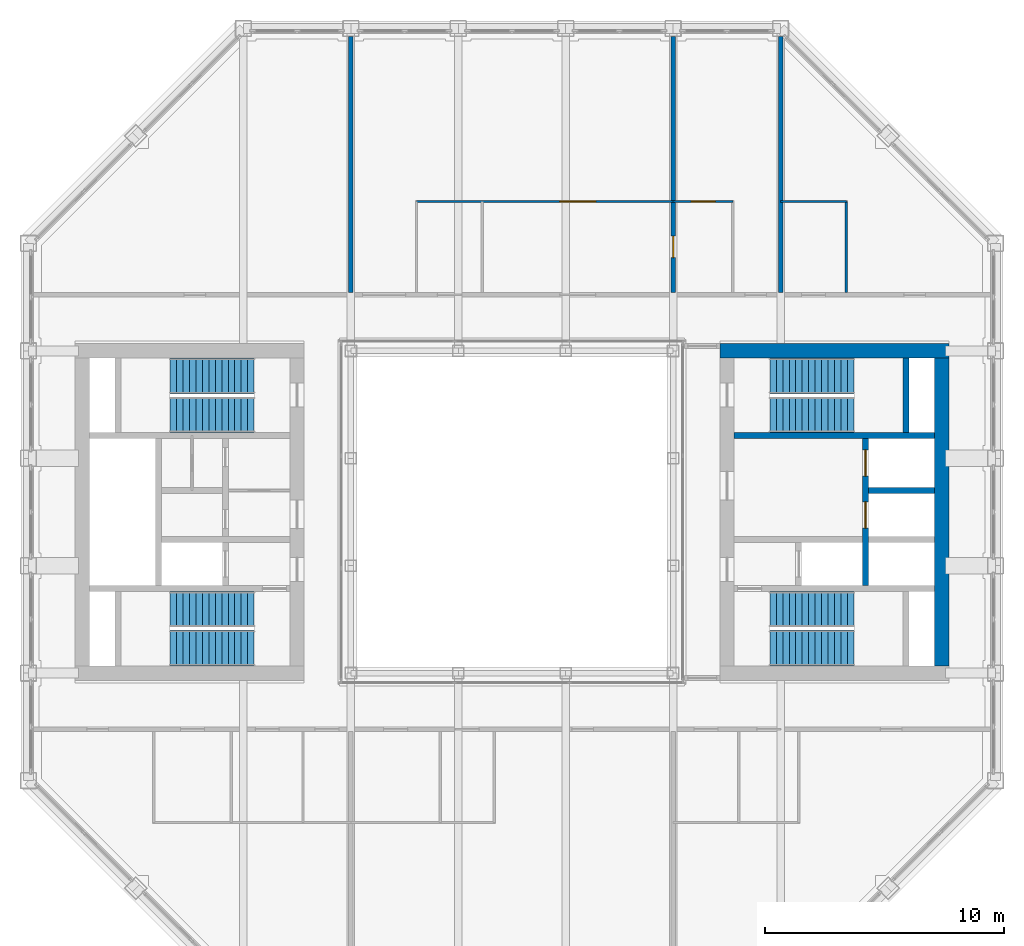
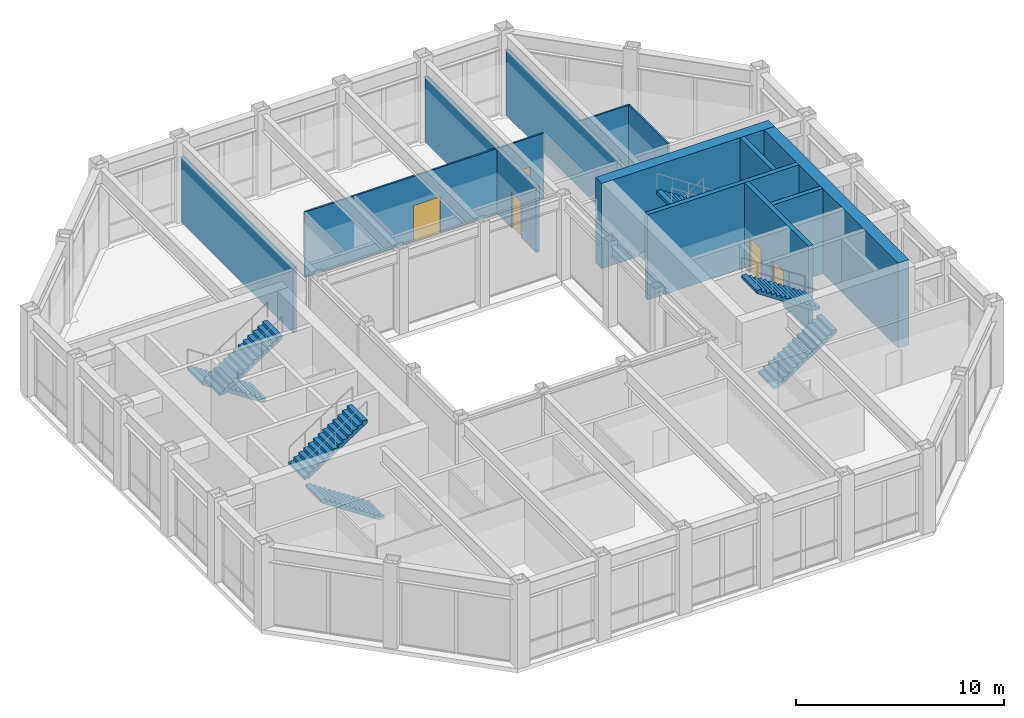
# One storey, part 13 of 15: 13 walls, 8 stair flights, 5 doors, 5 openings, 4 elements without a shape of their own.
"""IFC4 building model written with IfcOpenShell, lengths in metres."""

from ifc_helpers import new_model, si_unit, direction, frame, frame_2d, origin, place, context, subcontext, project, spatial, polyline, rectangle, outline, extrude, material, layer, layer_set, type_object, element, fill, aggregate, save


model = new_model("IFC4")

# Units and contexts
model_context = context("Model", 3, precision=1e-05, world=origin(), true_north=direction((0.0, 1.0)))
body_context = subcontext(model_context, "Body", "Model", "MODEL_VIEW")
ifc_project = project(units=[si_unit("LENGTHUNIT", "METRE"), si_unit("AREAUNIT", "SQUARE_METRE"), si_unit("VOLUMEUNIT", "CUBIC_METRE"), si_unit("PLANEANGLEUNIT", "RADIAN"), si_unit("MASSUNIT", "GRAM", prefix="KILO")], contexts=[model_context])

# Site, building, storey
site_placement = place(None, origin())
site = spatial("IfcSite", under=ifc_project, at=site_placement, CompositionType="ELEMENT")
building_placement = place(site_placement, origin())
building = spatial("IfcBuilding", under=site, at=building_placement, Name="Msasa Ring Tower", CompositionType="ELEMENT")
storey_placement = place(building_placement, frame((0.0, 0.0, 257.050048828125)))
storey = spatial("IfcBuildingStorey", under=building, at=storey_placement, Name="L67", CompositionType="ELEMENT", Elevation=257.050048828125)

# Walls
ifc_material_1 = material(Name="Concrete C60/75", Category="concrete")
ifc_layer_1 = layer(ifc_material_1, 0.60009765625)
ifc_layer_set_1 = layer_set([ifc_layer_1], Name="CW3 CORE WALL 600")
wall_type_1 = type_object("IfcWallType", Name="CW3 CORE WALL 600", PredefinedType="SHEAR", material=ifc_layer_set_1)
wall_1_placement = place(storey_placement, frame((8.699951171875, 6.75, 0.0), z_axis=(0.0, 0.0, 1.0), x_axis=(1.0, 0.0, 0.0)))
element("IfcWall", 1, at=wall_1_placement, inside=storey, type_object=wall_type_1, Name="E core wall N L67", PredefinedType="SHEAR", context=body_context, shape_type="SweptSolid", body=[
    extrude(rectangle(XDim=9.60009765625, YDim=0.60009765625, at=frame_2d((4.800048828125, 0.0))), origin(), (0.0, 0.0, 1.0), 5.0),
])
wall_2_placement = place(storey_placement, frame((18.0, -6.449951171875, 0.0), z_axis=(0.0, 0.0, 1.0), x_axis=(0.0, 1.0, 0.0)))
element("IfcWall", 2, at=wall_2_placement, inside=storey, type_object=wall_type_1, Name="E core wall E L67", PredefinedType="SHEAR", context=body_context, shape_type="SweptSolid", body=[
    extrude(rectangle(XDim=12.89990234375, YDim=0.60009765625, at=frame_2d((6.449951171875, 0.0))), origin(), (0.0, 0.0, 1.0), 5.0),
])
ifc_material_2 = material(Name="Concrete C60/75", Category="concrete")
ifc_layer_2 = layer(ifc_material_2, 0.25)
ifc_layer_set_2 = layer_set([ifc_layer_2], Name="CW4 CORE INNER WALL 250")
wall_type_2 = type_object("IfcWallType", Name="CW4 CORE INNER WALL 250", PredefinedType="SHEAR", material=ifc_layer_set_2)
wall_3_placement = place(storey_placement, frame((9.300048828125, 3.199951171875, 0.0), z_axis=(0.0, 0.0, 1.0), x_axis=(1.0, 0.0, 0.0)))
element("IfcWall", 3, at=wall_3_placement, inside=storey, type_object=wall_type_2, Name="E core wall STAIRB L67", PredefinedType="SHEAR", context=body_context, shape_type="SweptSolid", body=[
    extrude(rectangle(XDim=8.39990234375, YDim=0.25, at=frame_2d((4.199951171875, 0.0))), origin(), (0.0, 0.0, 1.0), 5.0),
])
wall_4_placement = place(storey_placement, frame((16.5, 3.324951171875, 0.0), z_axis=(0.0, 0.0, 1.0), x_axis=(0.0, 1.0, 0.0)))
element("IfcWall", 4, at=wall_4_placement, inside=storey, type_object=wall_type_2, Name="E core wall RISERB L67", PredefinedType="SHEAR", context=body_context, shape_type="SweptSolid", body=[
    extrude(rectangle(XDim=3.125, YDim=0.25, at=frame_2d((1.5625, 0.0))), origin(), (0.0, 0.0, 1.0), 5.0),
])

# Wall, openings, doors
wall_5_placement = place(storey_placement, frame((14.800048828125, -3.074951171875, 0.0), z_axis=(0.0, 0.0, 1.0), x_axis=(0.0, 1.0, 0.0)))
wall_5 = element("IfcWall", 5, at=wall_5_placement, inside=storey, type_object=wall_type_2, Name="E core wall SHAFT L67", PredefinedType="SHEAR", context=body_context, shape_type="SweptSolid", body=[
    extrude(rectangle(XDim=6.14990234375, YDim=0.25, at=frame_2d((3.074951171875, 0.0))), origin(), (0.0, 0.0, 1.0), 5.0),
])
opening_1_placement = place(wall_5_placement, frame((2.39990234375, 0.0, 0.0)))
opening_1 = element("IfcOpeningElement", 6, at=opening_1_placement, cuts=wall_5, Name="Opening LD1", PredefinedType="OPENING", context=body_context, shape_type="SweptSolid", body=[
    extrude(rectangle(XDim=1.10009765625, YDim=2.10009765625, at=frame_2d((0.550048828125, 1.050048828125))), frame((0.0, 0.135009765625, 0.0), z_axis=(0.0, -1.0, 0.0), x_axis=(1.0, 0.0, 0.0)), (0.0, 0.0, 1.0), 0.27001953125),
])
opening_2_placement = place(wall_5_placement, frame((4.574951171875, 0.0, 0.0)))
opening_2 = element("IfcOpeningElement", 7, at=opening_2_placement, cuts=wall_5, Name="Opening LD1", PredefinedType="OPENING", context=body_context, shape_type="SweptSolid", body=[
    extrude(rectangle(XDim=1.10009765625, YDim=2.10009765625, at=frame_2d((0.550048828125, 1.050048828125))), frame((0.0, 0.135009765625, 0.0), z_axis=(0.0, -1.0, 0.0), x_axis=(1.0, 0.0, 0.0)), (0.0, 0.0, 1.0), 0.27001953125),
])
ifc_material_3 = material(Name="Stainless steel lift landing door", Category="steel")
door_type_1 = type_object("IfcDoorType", Name="LD1 LIFT LANDING DOOR 1100x2100", OperationType="DOUBLE_DOOR_SLIDING", PredefinedType="DOOR", material=ifc_material_3)
door_1_placement = place(opening_1_placement, origin())
door_1 = element("IfcDoor", 8, at=door_1_placement, inside=storey, type_object=door_type_1, Name="Lift landing door PL-H1 L67", OperationType="DOUBLE_DOOR_SLIDING", OverallHeight=2.10009765625, OverallWidth=1.10009765625, PredefinedType="DOOR", context=body_context, shape_type="SweptSolid", body=[
    extrude(rectangle(XDim=1.10009765625, YDim=2.10009765625, at=frame_2d((0.550048828125, 1.050048828125))), frame((0.0, 0.02490234375, 0.0), z_axis=(0.0, -1.0, 0.0), x_axis=(1.0, 0.0, 0.0)), (0.0, 0.0, 1.0), 0.050048828125),
])
fill(opening_1, door_1)
door_2_placement = place(opening_2_placement, origin())
door_2 = element("IfcDoor", 9, at=door_2_placement, inside=storey, type_object=door_type_1, Name="Lift landing door PL-H2 L67", OperationType="DOUBLE_DOOR_SLIDING", OverallHeight=2.10009765625, OverallWidth=1.10009765625, PredefinedType="DOOR", context=body_context, shape_type="SweptSolid", body=[
    extrude(rectangle(XDim=1.10009765625, YDim=2.10009765625, at=frame_2d((0.550048828125, 1.050048828125))), frame((0.0, 0.02490234375, 0.0), z_axis=(0.0, -1.0, 0.0), x_axis=(1.0, 0.0, 0.0)), (0.0, 0.0, 1.0), 0.050048828125),
])
fill(opening_2, door_2)

# Wall
wall_6_placement = place(storey_placement, frame((14.925048828125, 0.89990234375, 0.0), z_axis=(0.0, 0.0, 1.0), x_axis=(1.0, 0.0, 0.0)))
element("IfcWall", 10, at=wall_6_placement, inside=storey, type_object=wall_type_2, Name="E core wall HLIFT L67", PredefinedType="SHEAR", context=body_context, shape_type="SweptSolid", body=[
    extrude(rectangle(XDim=2.77490234375, YDim=0.25, at=frame_2d((1.387451171875, 0.0))), origin(), (0.0, 0.0, 1.0), 5.0),
])

# Wall, opening, door
ifc_material_4 = material(Name="Gypsum board on steel studs", Category="steel")
ifc_layer_3 = layer(ifc_material_4, 0.10009765625)
ifc_layer_set_3 = layer_set([ifc_layer_3], Name="PT2 STUD PARTITION 100")
wall_type_3 = type_object("IfcWallType", Name="PT2 STUD PARTITION 100", PredefinedType="PARTITIONING", material=ifc_layer_set_3)
wall_7_placement = place(storey_placement, frame((-4.0, 13.0, 0.0), z_axis=(0.0, 0.0, 1.0), x_axis=(1.0, 0.0, 0.0)))
wall_7 = element("IfcWall", 11, at=wall_7_placement, inside=storey, type_object=wall_type_3, Name="Partition L67-SBN1X0", PredefinedType="PARTITIONING", context=body_context, shape_type="SweptSolid", body=[
    extrude(rectangle(XDim=10.75, YDim=0.10009765625, at=frame_2d((5.375, 0.0))), origin(), (0.0, 0.0, 1.0), 3.8232421875),
])
opening_3_placement = place(wall_7_placement, frame((6.0, 0.0, 0.0)))
opening_3 = element("IfcOpeningElement", 12, at=opening_3_placement, cuts=wall_7, Name="Opening L67-001", PredefinedType="OPENING", context=body_context, shape_type="SweptSolid", body=[
    extrude(rectangle(XDim=1.5, YDim=2.10009765625, at=frame_2d((0.75, 1.050048828125))), frame((0.0, 0.06005859375, 0.0), z_axis=(0.0, -1.0, 0.0), x_axis=(1.0, 0.0, 0.0)), (0.0, 0.0, 1.0), 0.1201171875),
])
ifc_material_5 = material(Name="Timber door leaf in a steel frame", Category="steel")
door_type_2 = type_object("IfcDoorType", Name="D28 INTERNAL KITCHEN DOUBLE SWING DOOR 1500x2100", OperationType="SINGLE_SWING_LEFT", PredefinedType="DOOR", material=ifc_material_5)
door_3_placement = place(opening_3_placement, origin())
door_3 = element("IfcDoor", 13, at=door_3_placement, inside=storey, type_object=door_type_2, Name="Door L67-SBN1B1", OperationType="SINGLE_SWING_RIGHT", OverallHeight=2.10009765625, OverallWidth=1.5, PredefinedType="DOOR", context=body_context, shape_type="SweptSolid", body=[
    extrude(rectangle(XDim=1.5, YDim=2.10009765625, at=frame_2d((0.75, 1.050048828125))), frame((0.0, 0.02490234375, 0.0), z_axis=(0.0, -1.0, 0.0), x_axis=(1.0, 0.0, 0.0)), (0.0, 0.0, 1.0), 0.050048828125),
])
fill(opening_3, door_3)

wall_8_placement = place(storey_placement, frame((6.75, 13.0, 0.0), z_axis=(0.0, 0.0, 1.0), x_axis=(1.0, 0.0, 0.0)))
wall_8 = element("IfcWall", 14, at=wall_8_placement, inside=storey, type_object=wall_type_3, Name="Partition L67-SBN2X0", PredefinedType="PARTITIONING", context=body_context, shape_type="SweptSolid", body=[
    extrude(rectangle(XDim=2.5, YDim=0.10009765625, at=frame_2d((1.25, 0.0))), origin(), (0.0, 0.0, 1.0), 3.8232421875),
])
opening_4_placement = place(wall_8_placement, frame((0.75, 0.0, 0.0)))
opening_4 = element("IfcOpeningElement", 15, at=opening_4_placement, cuts=wall_8, Name="Opening L67-002", PredefinedType="OPENING", context=body_context, shape_type="SweptSolid", body=[
    extrude(rectangle(XDim=1.0, YDim=2.10009765625, at=frame_2d((0.5, 1.050048828125))), frame((0.0, 0.06005859375, 0.0), z_axis=(0.0, -1.0, 0.0), x_axis=(1.0, 0.0, 0.0)), (0.0, 0.0, 1.0), 0.1201171875),
])
ifc_material_6 = material(Name="Timber door leaf in a steel frame", Category="steel")
door_type_3 = type_object("IfcDoorType", Name="D29 INTERNAL ROOM DOOR 1000x2100", OperationType="SINGLE_SWING_LEFT", PredefinedType="DOOR", material=ifc_material_6)
door_4_placement = place(opening_4_placement, origin())
door_4 = element("IfcDoor", 16, at=door_4_placement, inside=storey, type_object=door_type_3, Name="Door L67-SBN2B0", OperationType="SINGLE_SWING_LEFT", OverallHeight=2.10009765625, OverallWidth=1.0, PredefinedType="DOOR", context=body_context, shape_type="SweptSolid", body=[
    extrude(rectangle(XDim=1.0, YDim=2.10009765625, at=frame_2d((0.5, 1.050048828125))), frame((0.0, 0.02490234375, 0.0), z_axis=(0.0, -1.0, 0.0), x_axis=(1.0, 0.0, 0.0)), (0.0, 0.0, 1.0), 0.050048828125),
])
fill(opening_4, door_4)

# Walls
wall_9_placement = place(storey_placement, frame((11.25, 13.0, 0.0), z_axis=(0.0, 0.0, 1.0), x_axis=(1.0, 0.0, 0.0)))
element("IfcWall", 17, at=wall_9_placement, inside=storey, type_object=wall_type_3, Name="Partition L67-SBN3X0", PredefinedType="PARTITIONING", context=body_context, shape_type="SweptSolid", body=[
    extrude(rectangle(XDim=2.75, YDim=0.10009765625, at=frame_2d((1.375, 0.0))), origin(), (0.0, 0.0, 1.0), 3.8232421875),
])
wall_10_placement = place(storey_placement, frame((14.0, 9.199951171875, 0.0), z_axis=(0.0, 0.0, 1.0), x_axis=(0.0, 1.0, 0.0)))
element("IfcWall", 18, at=wall_10_placement, inside=storey, type_object=wall_type_3, Name="Partition L67-SBN3Y0", PredefinedType="PARTITIONING", context=body_context, shape_type="SweptSolid", body=[
    extrude(rectangle(XDim=3.800048828125, YDim=0.10009765625, at=frame_2d((1.89990234375, 0.0))), origin(), (0.0, 0.0, 1.0), 3.8232421875),
])
ifc_material_7 = material(Name="Dense concrete blockwork, plastered both faces", Category="masonry")
ifc_layer_4 = layer(ifc_material_7, 0.25)
ifc_layer_set_4 = layer_set([ifc_layer_4], Name="PT3 APARTMENT SEPARATING WALL 250")
wall_type_4 = type_object("IfcWallType", Name="PT3 APARTMENT SEPARATING WALL 250", PredefinedType="PARTITIONING", material=ifc_layer_set_4)
wall_11_placement = place(storey_placement, frame((-6.75, 9.199951171875, 0.0), z_axis=(0.0, 0.0, 1.0), x_axis=(0.0, 1.0, 0.0)))
element("IfcWall", 19, at=wall_11_placement, inside=storey, type_object=wall_type_4, Name="Party wall L67-PWN-6.75", PredefinedType="PARTITIONING", context=body_context, shape_type="SweptSolid", body=[
    extrude(rectangle(XDim=10.699951171875, YDim=0.199951171875, at=frame_2d((5.35009765625, 0.0))), origin(), (0.0, 0.0, 1.0), 3.8232421875),
])

# Wall, opening, door
wall_12_placement = place(storey_placement, frame((6.75, 9.199951171875, 0.0), z_axis=(0.0, 0.0, 1.0), x_axis=(0.0, 1.0, 0.0)))
wall_12 = element("IfcWall", 20, at=wall_12_placement, inside=storey, type_object=wall_type_4, Name="Party wall L67-PWN+6.75", PredefinedType="PARTITIONING", context=body_context, shape_type="SweptSolid", body=[
    extrude(rectangle(XDim=10.699951171875, YDim=0.199951171875, at=frame_2d((5.35009765625, 0.0))), origin(), (0.0, 0.0, 1.0), 3.8232421875),
])
opening_5_placement = place(wall_12_placement, frame((1.449951171875, 0.0, 0.0)))
opening_5 = element("IfcOpeningElement", 21, at=opening_5_placement, cuts=wall_12, Name="Opening L67-003", PredefinedType="OPENING", context=body_context, shape_type="SweptSolid", body=[
    extrude(rectangle(XDim=0.89990234375, YDim=2.10009765625, at=frame_2d((0.449951171875, 1.050048828125))), frame((0.0, 0.10986328125, 0.0), z_axis=(0.0, -1.0, 0.0), x_axis=(1.0, 0.0, 0.0)), (0.0, 0.0, 1.0), 0.219970703125),
])
ifc_material_8 = material(Name="Timber door leaf in a steel frame", Category="steel")
door_type_4 = type_object("IfcDoorType", Name="D1 SINGLE DOOR TO CORRIDOR 900x2100", OperationType="SINGLE_SWING_LEFT", PredefinedType="DOOR", material=ifc_material_8)
door_5_placement = place(opening_5_placement, origin())
door_5 = element("IfcDoor", 22, at=door_5_placement, inside=storey, type_object=door_type_4, Name="Door L67-SBSRV", OperationType="SINGLE_SWING_LEFT", OverallHeight=2.10009765625, OverallWidth=0.89990234375, PredefinedType="DOOR", context=body_context, shape_type="SweptSolid", body=[
    extrude(rectangle(XDim=0.89990234375, YDim=2.10009765625, at=frame_2d((0.449951171875, 1.050048828125))), frame((0.0, 0.02490234375, 0.0), z_axis=(0.0, -1.0, 0.0), x_axis=(1.0, 0.0, 0.0)), (0.0, 0.0, 1.0), 0.050048828125),
])
fill(opening_5, door_5)

# Wall
wall_13_placement = place(storey_placement, frame((11.25, 9.199951171875, 0.0), z_axis=(0.0, 0.0, 1.0), x_axis=(0.0, 1.0, 0.0)))
element("IfcWall", 23, at=wall_13_placement, inside=storey, type_object=wall_type_4, Name="Party wall L67-PWN+11.25", PredefinedType="PARTITIONING", context=body_context, shape_type="SweptSolid", body=[
    extrude(rectangle(XDim=10.699951171875, YDim=0.199951171875, at=frame_2d((5.35009765625, 0.0))), origin(), (0.0, 0.0, 1.0), 3.8232421875),
])

# Stair, stair flights
ifc_material_9 = material(Name="Concrete C40/50", Category="concrete")
stair_type = type_object("IfcStairType", Name="STC CORE STAIR 28 RISERS 178.6", PredefinedType="HALF_TURN_STAIR", material=ifc_material_9)
stair_1_placement = place(storey_placement, origin())
stair_1 = element("IfcStair", 24, at=stair_1_placement, inside=storey, type_object=stair_type, Name="Core stair SEA L67", PredefinedType="HALF_TURN_STAIR")
ifc_material_10 = material(Name="Concrete C40/50", Category="concrete")
stair_flight_type = type_object("IfcStairFlightType", Name="ST13 CORE STAIR FLIGHT 1500 14 RISERS 178.6", PredefinedType="STRAIGHT", material=ifc_material_10)
stair_flight_1_placement = place(storey_placement, frame((10.800048828125, -5.699951171875, 0.0), z_axis=(0.0, 0.0, 1.0), x_axis=(1.0, 0.0, 0.0)))
stair_flight_1 = element("IfcStairFlight", 25, at=stair_flight_1_placement, type_object=stair_flight_type, Name="SEA flight 1", NumberOfRisers=14, NumberOfTreads=13, PredefinedType="STRAIGHT", RiserHeight=0.178571429, TreadLength=0.27, context=body_context, shape_type="SweptSolid", body=[
    extrude(outline(polyline([(0.0, 0.0), (0.0, 0.178466796875), (0.27001953125, 0.178466796875), (0.27001953125, 0.357177734375), (0.5400390625, 0.357177734375), (0.5400390625, 0.53564453125), (0.81005859375, 0.53564453125), (0.81005859375, 0.71435546875), (1.080078125, 0.71435546875), (1.080078125, 0.892822265625), (1.35009765625, 0.892822265625), (1.35009765625, 1.071533203125), (1.6201171875, 1.071533203125), (1.6201171875, 1.25), (1.889892578125, 1.25), (1.889892578125, 1.428466796875), (2.159912109375, 1.428466796875), (2.159912109375, 1.607177734375), (2.429931640625, 1.607177734375), (2.429931640625, 1.78564453125), (2.699951171875, 1.78564453125), (2.699951171875, 1.96435546875), (2.969970703125, 1.96435546875), (2.969970703125, 2.142822265625), (3.239990234375, 2.142822265625), (3.239990234375, 2.321533203125), (3.510009765625, 2.321533203125), (3.510009765625, 2.5), (3.510009765625, 2.1416015625), (0.271728515625, 0.0), (0.0, 0.0)])), frame((0.0, 0.75, 0.0), z_axis=(0.0, -1.0, 0.0), x_axis=(1.0, 0.0, 0.0)), (0.0, 0.0, 1.0), 1.5),
])
stair_flight_2_placement = place(storey_placement, frame((14.31005859375, -4.074951171875, 2.5), z_axis=(0.0, 0.0, 1.0), x_axis=(-1.0, 0.0, 0.0)))
stair_flight_2 = element("IfcStairFlight", 26, at=stair_flight_2_placement, type_object=stair_flight_type, Name="SEA flight 2", NumberOfRisers=14, NumberOfTreads=13, PredefinedType="STRAIGHT", RiserHeight=0.178571429, TreadLength=0.27, context=body_context, shape_type="SweptSolid", body=[
    extrude(outline(polyline([(0.0, 0.0), (0.0, 0.178466796875), (0.27001953125, 0.178466796875), (0.27001953125, 0.357177734375), (0.5400390625, 0.357177734375), (0.5400390625, 0.53564453125), (0.81005859375, 0.53564453125), (0.81005859375, 0.71435546875), (1.080078125, 0.71435546875), (1.080078125, 0.892822265625), (1.35009765625, 0.892822265625), (1.35009765625, 1.071533203125), (1.6201171875, 1.071533203125), (1.6201171875, 1.25), (1.889892578125, 1.25), (1.889892578125, 1.428466796875), (2.159912109375, 1.428466796875), (2.159912109375, 1.607177734375), (2.429931640625, 1.607177734375), (2.429931640625, 1.78564453125), (2.699951171875, 1.78564453125), (2.699951171875, 1.96435546875), (2.969970703125, 1.96435546875), (2.969970703125, 2.142822265625), (3.239990234375, 2.142822265625), (3.239990234375, 2.321533203125), (3.510009765625, 2.321533203125), (3.510009765625, 2.5), (3.510009765625, 2.1416015625), (0.271728515625, 0.0), (0.0, 0.0)])), frame((0.0, 0.75, 0.0), z_axis=(0.0, -1.0, 0.0), x_axis=(1.0, 0.0, 0.0)), (0.0, 0.0, 1.0), 1.5),
])
aggregate(stair_1, [stair_flight_1, stair_flight_2])

stair_2_placement = place(storey_placement, origin())
stair_2 = element("IfcStair", 27, at=stair_2_placement, inside=storey, type_object=stair_type, Name="Core stair SEB L67", PredefinedType="HALF_TURN_STAIR")
stair_flight_3_placement = place(storey_placement, frame((10.800048828125, 5.699951171875, 0.0), z_axis=(0.0, 0.0, 1.0), x_axis=(1.0, 0.0, 0.0)))
stair_flight_3 = element("IfcStairFlight", 28, at=stair_flight_3_placement, type_object=stair_flight_type, Name="SEB flight 1", NumberOfRisers=14, NumberOfTreads=13, PredefinedType="STRAIGHT", RiserHeight=0.178571429, TreadLength=0.27, context=body_context, shape_type="SweptSolid", body=[
    extrude(outline(polyline([(0.0, 0.0), (0.0, 0.178466796875), (0.27001953125, 0.178466796875), (0.27001953125, 0.357177734375), (0.5400390625, 0.357177734375), (0.5400390625, 0.53564453125), (0.81005859375, 0.53564453125), (0.81005859375, 0.71435546875), (1.080078125, 0.71435546875), (1.080078125, 0.892822265625), (1.35009765625, 0.892822265625), (1.35009765625, 1.071533203125), (1.6201171875, 1.071533203125), (1.6201171875, 1.25), (1.889892578125, 1.25), (1.889892578125, 1.428466796875), (2.159912109375, 1.428466796875), (2.159912109375, 1.607177734375), (2.429931640625, 1.607177734375), (2.429931640625, 1.78564453125), (2.699951171875, 1.78564453125), (2.699951171875, 1.96435546875), (2.969970703125, 1.96435546875), (2.969970703125, 2.142822265625), (3.239990234375, 2.142822265625), (3.239990234375, 2.321533203125), (3.510009765625, 2.321533203125), (3.510009765625, 2.5), (3.510009765625, 2.1416015625), (0.271728515625, 0.0), (0.0, 0.0)])), frame((0.0, 0.75, 0.0), z_axis=(0.0, -1.0, 0.0), x_axis=(1.0, 0.0, 0.0)), (0.0, 0.0, 1.0), 1.5),
])
stair_flight_4_placement = place(storey_placement, frame((14.31005859375, 4.074951171875, 2.5), z_axis=(0.0, 0.0, 1.0), x_axis=(-1.0, 0.0, 0.0)))
stair_flight_4 = element("IfcStairFlight", 29, at=stair_flight_4_placement, type_object=stair_flight_type, Name="SEB flight 2", NumberOfRisers=14, NumberOfTreads=13, PredefinedType="STRAIGHT", RiserHeight=0.178571429, TreadLength=0.27, context=body_context, shape_type="SweptSolid", body=[
    extrude(outline(polyline([(0.0, 0.0), (0.0, 0.178466796875), (0.27001953125, 0.178466796875), (0.27001953125, 0.357177734375), (0.5400390625, 0.357177734375), (0.5400390625, 0.53564453125), (0.81005859375, 0.53564453125), (0.81005859375, 0.71435546875), (1.080078125, 0.71435546875), (1.080078125, 0.892822265625), (1.35009765625, 0.892822265625), (1.35009765625, 1.071533203125), (1.6201171875, 1.071533203125), (1.6201171875, 1.25), (1.889892578125, 1.25), (1.889892578125, 1.428466796875), (2.159912109375, 1.428466796875), (2.159912109375, 1.607177734375), (2.429931640625, 1.607177734375), (2.429931640625, 1.78564453125), (2.699951171875, 1.78564453125), (2.699951171875, 1.96435546875), (2.969970703125, 1.96435546875), (2.969970703125, 2.142822265625), (3.239990234375, 2.142822265625), (3.239990234375, 2.321533203125), (3.510009765625, 2.321533203125), (3.510009765625, 2.5), (3.510009765625, 2.1416015625), (0.271728515625, 0.0), (0.0, 0.0)])), frame((0.0, 0.75, 0.0), z_axis=(0.0, -1.0, 0.0), x_axis=(1.0, 0.0, 0.0)), (0.0, 0.0, 1.0), 1.5),
])
aggregate(stair_2, [stair_flight_3, stair_flight_4])

stair_3_placement = place(storey_placement, origin())
stair_3 = element("IfcStair", 30, at=stair_3_placement, inside=storey, type_object=stair_type, Name="Core stair SWA L67", PredefinedType="HALF_TURN_STAIR")
stair_flight_5_placement = place(storey_placement, frame((-10.800048828125, -5.699951171875, 0.0), z_axis=(0.0, 0.0, 1.0), x_axis=(-1.0, 0.0, 0.0)))
stair_flight_5 = element("IfcStairFlight", 31, at=stair_flight_5_placement, type_object=stair_flight_type, Name="SWA flight 1", NumberOfRisers=14, NumberOfTreads=13, PredefinedType="STRAIGHT", RiserHeight=0.178571429, TreadLength=0.27, context=body_context, shape_type="SweptSolid", body=[
    extrude(outline(polyline([(0.0, 0.0), (0.0, 0.178466796875), (0.27001953125, 0.178466796875), (0.27001953125, 0.357177734375), (0.5400390625, 0.357177734375), (0.5400390625, 0.53564453125), (0.81005859375, 0.53564453125), (0.81005859375, 0.71435546875), (1.080078125, 0.71435546875), (1.080078125, 0.892822265625), (1.35009765625, 0.892822265625), (1.35009765625, 1.071533203125), (1.6201171875, 1.071533203125), (1.6201171875, 1.25), (1.889892578125, 1.25), (1.889892578125, 1.428466796875), (2.159912109375, 1.428466796875), (2.159912109375, 1.607177734375), (2.429931640625, 1.607177734375), (2.429931640625, 1.78564453125), (2.699951171875, 1.78564453125), (2.699951171875, 1.96435546875), (2.969970703125, 1.96435546875), (2.969970703125, 2.142822265625), (3.239990234375, 2.142822265625), (3.239990234375, 2.321533203125), (3.510009765625, 2.321533203125), (3.510009765625, 2.5), (3.510009765625, 2.1416015625), (0.271728515625, 0.0), (0.0, 0.0)])), frame((0.0, 0.75, 0.0), z_axis=(0.0, -1.0, 0.0), x_axis=(1.0, 0.0, 0.0)), (0.0, 0.0, 1.0), 1.5),
])
stair_flight_6_placement = place(storey_placement, frame((-14.31005859375, -4.074951171875, 2.5), z_axis=(0.0, 0.0, 1.0), x_axis=(1.0, 0.0, 0.0)))
stair_flight_6 = element("IfcStairFlight", 32, at=stair_flight_6_placement, type_object=stair_flight_type, Name="SWA flight 2", NumberOfRisers=14, NumberOfTreads=13, PredefinedType="STRAIGHT", RiserHeight=0.178571429, TreadLength=0.27, context=body_context, shape_type="SweptSolid", body=[
    extrude(outline(polyline([(0.0, 0.0), (0.0, 0.178466796875), (0.27001953125, 0.178466796875), (0.27001953125, 0.357177734375), (0.5400390625, 0.357177734375), (0.5400390625, 0.53564453125), (0.81005859375, 0.53564453125), (0.81005859375, 0.71435546875), (1.080078125, 0.71435546875), (1.080078125, 0.892822265625), (1.35009765625, 0.892822265625), (1.35009765625, 1.071533203125), (1.6201171875, 1.071533203125), (1.6201171875, 1.25), (1.889892578125, 1.25), (1.889892578125, 1.428466796875), (2.159912109375, 1.428466796875), (2.159912109375, 1.607177734375), (2.429931640625, 1.607177734375), (2.429931640625, 1.78564453125), (2.699951171875, 1.78564453125), (2.699951171875, 1.96435546875), (2.969970703125, 1.96435546875), (2.969970703125, 2.142822265625), (3.239990234375, 2.142822265625), (3.239990234375, 2.321533203125), (3.510009765625, 2.321533203125), (3.510009765625, 2.5), (3.510009765625, 2.1416015625), (0.271728515625, 0.0), (0.0, 0.0)])), frame((0.0, 0.75, 0.0), z_axis=(0.0, -1.0, 0.0), x_axis=(1.0, 0.0, 0.0)), (0.0, 0.0, 1.0), 1.5),
])
aggregate(stair_3, [stair_flight_5, stair_flight_6])

stair_4_placement = place(storey_placement, origin())
stair_4 = element("IfcStair", 33, at=stair_4_placement, inside=storey, type_object=stair_type, Name="Core stair SWB L67", PredefinedType="HALF_TURN_STAIR")
stair_flight_7_placement = place(storey_placement, frame((-10.800048828125, 5.699951171875, 0.0), z_axis=(0.0, 0.0, 1.0), x_axis=(-1.0, 0.0, 0.0)))
stair_flight_7 = element("IfcStairFlight", 34, at=stair_flight_7_placement, type_object=stair_flight_type, Name="SWB flight 1", NumberOfRisers=14, NumberOfTreads=13, PredefinedType="STRAIGHT", RiserHeight=0.178571429, TreadLength=0.27, context=body_context, shape_type="SweptSolid", body=[
    extrude(outline(polyline([(0.0, 0.0), (0.0, 0.178466796875), (0.27001953125, 0.178466796875), (0.27001953125, 0.357177734375), (0.5400390625, 0.357177734375), (0.5400390625, 0.53564453125), (0.81005859375, 0.53564453125), (0.81005859375, 0.71435546875), (1.080078125, 0.71435546875), (1.080078125, 0.892822265625), (1.35009765625, 0.892822265625), (1.35009765625, 1.071533203125), (1.6201171875, 1.071533203125), (1.6201171875, 1.25), (1.889892578125, 1.25), (1.889892578125, 1.428466796875), (2.159912109375, 1.428466796875), (2.159912109375, 1.607177734375), (2.429931640625, 1.607177734375), (2.429931640625, 1.78564453125), (2.699951171875, 1.78564453125), (2.699951171875, 1.96435546875), (2.969970703125, 1.96435546875), (2.969970703125, 2.142822265625), (3.239990234375, 2.142822265625), (3.239990234375, 2.321533203125), (3.510009765625, 2.321533203125), (3.510009765625, 2.5), (3.510009765625, 2.1416015625), (0.271728515625, 0.0), (0.0, 0.0)])), frame((0.0, 0.75, 0.0), z_axis=(0.0, -1.0, 0.0), x_axis=(1.0, 0.0, 0.0)), (0.0, 0.0, 1.0), 1.5),
])
stair_flight_8_placement = place(storey_placement, frame((-14.31005859375, 4.074951171875, 2.5), z_axis=(0.0, 0.0, 1.0), x_axis=(1.0, 0.0, 0.0)))
stair_flight_8 = element("IfcStairFlight", 35, at=stair_flight_8_placement, type_object=stair_flight_type, Name="SWB flight 2", NumberOfRisers=14, NumberOfTreads=13, PredefinedType="STRAIGHT", RiserHeight=0.178571429, TreadLength=0.27, context=body_context, shape_type="SweptSolid", body=[
    extrude(outline(polyline([(0.0, 0.0), (0.0, 0.178466796875), (0.27001953125, 0.178466796875), (0.27001953125, 0.357177734375), (0.5400390625, 0.357177734375), (0.5400390625, 0.53564453125), (0.81005859375, 0.53564453125), (0.81005859375, 0.71435546875), (1.080078125, 0.71435546875), (1.080078125, 0.892822265625), (1.35009765625, 0.892822265625), (1.35009765625, 1.071533203125), (1.6201171875, 1.071533203125), (1.6201171875, 1.25), (1.889892578125, 1.25), (1.889892578125, 1.428466796875), (2.159912109375, 1.428466796875), (2.159912109375, 1.607177734375), (2.429931640625, 1.607177734375), (2.429931640625, 1.78564453125), (2.699951171875, 1.78564453125), (2.699951171875, 1.96435546875), (2.969970703125, 1.96435546875), (2.969970703125, 2.142822265625), (3.239990234375, 2.142822265625), (3.239990234375, 2.321533203125), (3.510009765625, 2.321533203125), (3.510009765625, 2.5), (3.510009765625, 2.1416015625), (0.271728515625, 0.0), (0.0, 0.0)])), frame((0.0, 0.75, 0.0), z_axis=(0.0, -1.0, 0.0), x_axis=(1.0, 0.0, 0.0)), (0.0, 0.0, 1.0), 1.5),
])
aggregate(stair_4, [stair_flight_7, stair_flight_8])

save(model, "model.ifc")
